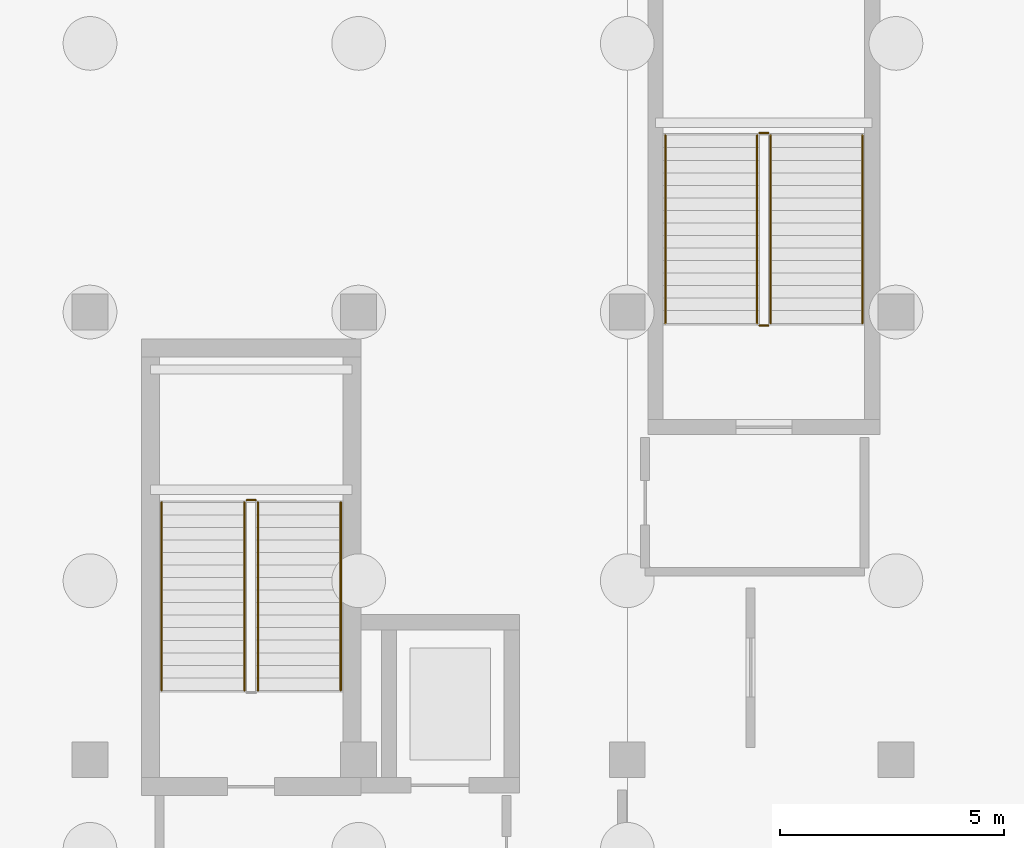
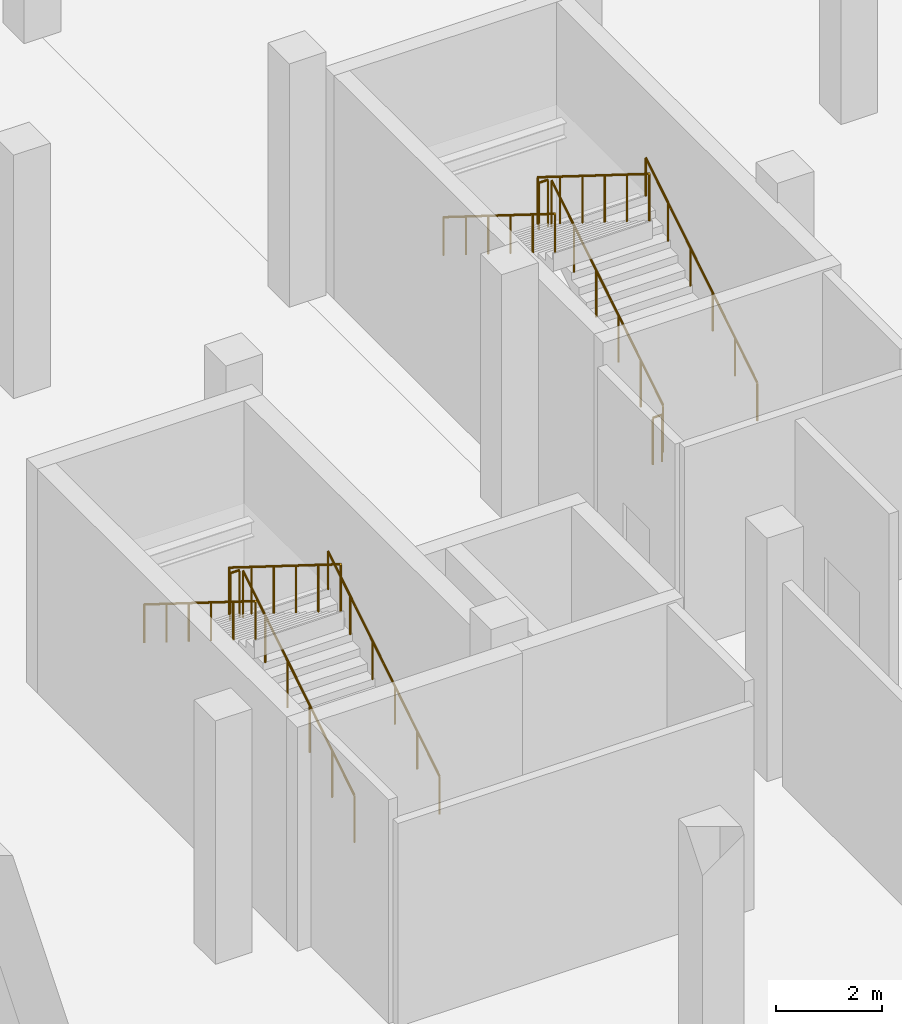
# One storey, part 24 of 26: 11 railings.
"""IFC4 building model written with IfcOpenShell, lengths in metres."""

from ifc_helpers import new_model, si_unit, direction, frame, origin, origin_2d, place, context, subcontext, project, spatial, circle, extrude, material, type_object, element, save


model = new_model("IFC4")

# Units and contexts
model_context = context("Model", 3, precision=1e-05, world=origin(), true_north=direction((0.0, 1.0)))
body_context = subcontext(model_context, "Body", "Model", "MODEL_VIEW")
ifc_project = project(units=[si_unit("LENGTHUNIT", "METRE"), si_unit("AREAUNIT", "SQUARE_METRE"), si_unit("VOLUMEUNIT", "CUBIC_METRE"), si_unit("PLANEANGLEUNIT", "RADIAN"), si_unit("MASSUNIT", "GRAM", prefix="KILO")], contexts=[model_context])

# Site, building, storey
site_placement = place(None, origin())
site = spatial("IfcSite", under=ifc_project, at=site_placement, CompositionType="ELEMENT")
building_placement = place(site_placement, origin())
building = spatial("IfcBuilding", under=site, at=building_placement, Name="Verrall Gate Interchange", CompositionType="ELEMENT")
storey_placement = place(building_placement, frame((0.0, 0.0, -10.39990234375)))
storey = spatial("IfcBuildingStorey", under=building, at=storey_placement, Name="B2", CompositionType="ELEMENT", Elevation=-10.39990234375)

# Railings
ifc_material_1 = material(Name="Brushed Stainless-Steel Guardrail and Handrail System", Category="steel")
railing_type_1 = type_object("IfcRailingType", Name="GR-02 Interior Atrium and Stair Guardrail 1100", PredefinedType="GUARDRAIL", material=ifc_material_1)
railing_1_placement = place(storey_placement, frame((9.75, 57.550048828125, 0.1748046875)))
element("IfcRailing", 1, at=railing_1_placement, inside=storey, type_object=railing_type_1, Name="B2 ST-03 stair guard 1", PredefinedType="GUARDRAIL", context=body_context, shape_type="SweptSolid", body=[
    extrude(circle(Radius=0.02392578125, at=origin_2d()), frame((0.0, 0.0, 1.076171875), z_axis=(0.0, 0.847995534698, 0.530003370869), x_axis=(-1.0, 0.0, 0.0)), (0.0, 0.0, 1.0), 4.952880859375),
    extrude(circle(Radius=0.02099609375, at=origin_2d()), origin(), (0.0, 0.0, 1.0), 1.052001953125),
    extrude(circle(Radius=0.02099609375, at=origin_2d()), frame((0.0, 0.840087890625, 0.52490234375)), (0.0, 0.0, 1.0), 1.052001953125),
    extrude(circle(Radius=0.02099609375, at=origin_2d()), frame((0.0, 1.679931640625, 1.050048828125)), (0.0, 0.0, 1.0), 1.052001953125),
    extrude(circle(Radius=0.02099609375, at=origin_2d()), frame((0.0, 2.52001953125, 1.574951171875)), (0.0, 0.0, 1.0), 1.052001953125),
    extrude(circle(Radius=0.02099609375, at=origin_2d()), frame((0.0, 3.35986328125, 2.10009765625)), (0.0, 0.0, 1.0), 1.052001953125),
    extrude(circle(Radius=0.02099609375, at=origin_2d()), frame((0.0, 4.199951171875, 2.625)), (0.0, 0.0, 1.0), 1.052001953125),
])
railing_2_placement = place(storey_placement, frame((9.699951171875, 61.800048828125, 2.7998046875)))
element("IfcRailing", 2, at=railing_2_placement, inside=storey, type_object=railing_type_1, Name="B2 ST-03 stair guard 2", PredefinedType="GUARDRAIL", context=body_context, shape_type="SweptSolid", body=[
    extrude(circle(Radius=0.02392578125, at=origin_2d()), frame((0.0, 0.0, 1.076171875), z_axis=(-1.0, 0.0, 0.0), x_axis=(0.0, -1.0, 0.0)), (0.0, 0.0, 1.0), 0.199951171875),
    extrude(circle(Radius=0.02099609375, at=origin_2d()), origin(), (0.0, 0.0, 1.0), 1.052001953125),
    extrude(circle(Radius=0.02099609375, at=origin_2d()), frame((-0.199951171875, 0.0, 0.0)), (0.0, 0.0, 1.0), 1.052001953125),
])
railing_3_placement = place(storey_placement, frame((9.449951171875, 61.75, 2.974853515625)))
element("IfcRailing", 3, at=railing_3_placement, inside=storey, type_object=railing_type_1, Name="B2 ST-03 stair guard 3", PredefinedType="GUARDRAIL", context=body_context, shape_type="SweptSolid", body=[
    extrude(circle(Radius=0.02392578125, at=origin_2d()), frame((0.0, 0.0, 1.076171875), z_axis=(0.0, -0.847995534698, 0.530003370869), x_axis=(1.0, 0.0, 0.0)), (0.0, 0.0, 1.0), 4.952880859375),
    extrude(circle(Radius=0.02099609375, at=origin_2d()), origin(), (0.0, 0.0, 1.0), 1.052001953125),
    extrude(circle(Radius=0.02099609375, at=origin_2d()), frame((0.0, -0.840087890625, 0.52490234375)), (0.0, 0.0, 1.0), 1.052001953125),
    extrude(circle(Radius=0.02099609375, at=origin_2d()), frame((0.0, -1.679931640625, 1.050048828125)), (0.0, 0.0, 1.0), 1.052001953125),
    extrude(circle(Radius=0.02099609375, at=origin_2d()), frame((0.0, -2.52001953125, 1.574951171875)), (0.0, 0.0, 1.0), 1.052001953125),
    extrude(circle(Radius=0.02099609375, at=origin_2d()), frame((0.0, -3.35986328125, 2.10009765625)), (0.0, 0.0, 1.0), 1.052001953125),
    extrude(circle(Radius=0.02099609375, at=origin_2d()), frame((0.0, -4.199951171875, 2.625)), (0.0, 0.0, 1.0), 1.052001953125),
])
railing_4_placement = place(storey_placement, frame((21.199951171875, 65.75, 0.1748046875)))
element("IfcRailing", 4, at=railing_4_placement, inside=storey, type_object=railing_type_1, Name="B2 ST-04 stair guard 1", PredefinedType="GUARDRAIL", context=body_context, shape_type="SweptSolid", body=[
    extrude(circle(Radius=0.02392578125, at=origin_2d()), frame((0.0, 0.0, 1.076171875), z_axis=(0.0, 0.847995534698, 0.530003370869), x_axis=(-1.0, 0.0, 0.0)), (0.0, 0.0, 1.0), 4.952880859375),
    extrude(circle(Radius=0.02099609375, at=origin_2d()), origin(), (0.0, 0.0, 1.0), 1.052001953125),
    extrude(circle(Radius=0.02099609375, at=origin_2d()), frame((0.0, 0.840087890625, 0.52490234375)), (0.0, 0.0, 1.0), 1.052001953125),
    extrude(circle(Radius=0.02099609375, at=origin_2d()), frame((0.0, 1.679931640625, 1.050048828125)), (0.0, 0.0, 1.0), 1.052001953125),
    extrude(circle(Radius=0.02099609375, at=origin_2d()), frame((0.0, 2.52001953125, 1.574951171875)), (0.0, 0.0, 1.0), 1.052001953125),
    extrude(circle(Radius=0.02099609375, at=origin_2d()), frame((0.0, 3.35986328125, 2.10009765625)), (0.0, 0.0, 1.0), 1.052001953125),
    extrude(circle(Radius=0.02099609375, at=origin_2d()), frame((0.0, 4.199951171875, 2.625)), (0.0, 0.0, 1.0), 1.052001953125),
])
railing_5_placement = place(storey_placement, frame((21.14990234375, 70.0, 2.7998046875)))
element("IfcRailing", 5, at=railing_5_placement, inside=storey, type_object=railing_type_1, Name="B2 ST-04 stair guard 2", PredefinedType="GUARDRAIL", context=body_context, shape_type="SweptSolid", body=[
    extrude(circle(Radius=0.02392578125, at=origin_2d()), frame((0.0, 0.0, 1.076171875), z_axis=(-1.0, 0.0, 0.0), x_axis=(0.0, -1.0, 0.0)), (0.0, 0.0, 1.0), 0.199951171875),
    extrude(circle(Radius=0.02099609375, at=origin_2d()), origin(), (0.0, 0.0, 1.0), 1.052001953125),
    extrude(circle(Radius=0.02099609375, at=origin_2d()), frame((-0.199951171875, 0.0, 0.0)), (0.0, 0.0, 1.0), 1.052001953125),
])
railing_6_placement = place(storey_placement, frame((20.89990234375, 69.949951171875, 2.974853515625)))
element("IfcRailing", 6, at=railing_6_placement, inside=storey, type_object=railing_type_1, Name="B2 ST-04 stair guard 3", PredefinedType="GUARDRAIL", context=body_context, shape_type="SweptSolid", body=[
    extrude(circle(Radius=0.02392578125, at=origin_2d()), frame((0.0, 0.0, 1.076171875), z_axis=(0.0, -0.847995534698, 0.530003370869), x_axis=(1.0, 0.0, 0.0)), (0.0, 0.0, 1.0), 4.952880859375),
    extrude(circle(Radius=0.02099609375, at=origin_2d()), origin(), (0.0, 0.0, 1.0), 1.052001953125),
    extrude(circle(Radius=0.02099609375, at=origin_2d()), frame((0.0, -0.840087890625, 0.52490234375)), (0.0, 0.0, 1.0), 1.052001953125),
    extrude(circle(Radius=0.02099609375, at=origin_2d()), frame((0.0, -1.679931640625, 1.050048828125)), (0.0, 0.0, 1.0), 1.052001953125),
    extrude(circle(Radius=0.02099609375, at=origin_2d()), frame((0.0, -2.52001953125, 1.574951171875)), (0.0, 0.0, 1.0), 1.052001953125),
    extrude(circle(Radius=0.02099609375, at=origin_2d()), frame((0.0, -3.35986328125, 2.10009765625)), (0.0, 0.0, 1.0), 1.052001953125),
    extrude(circle(Radius=0.02099609375, at=origin_2d()), frame((0.0, -4.199951171875, 2.625)), (0.0, 0.0, 1.0), 1.052001953125),
])
railing_7_placement = place(storey_placement, frame((21.14990234375, 65.699951171875, 0.0)))
element("IfcRailing", 7, at=railing_7_placement, inside=storey, type_object=railing_type_1, Name="B2 ST-04 stair guard 4", PredefinedType="GUARDRAIL", context=body_context, shape_type="SweptSolid", body=[
    extrude(circle(Radius=0.02392578125, at=origin_2d()), frame((0.0, 0.0, 1.076171875), z_axis=(-1.0, 0.0, 0.0), x_axis=(0.0, -1.0, 0.0)), (0.0, 0.0, 1.0), 0.199951171875),
    extrude(circle(Radius=0.02099609375, at=origin_2d()), origin(), (0.0, 0.0, 1.0), 1.052001953125),
    extrude(circle(Radius=0.02099609375, at=origin_2d()), frame((-0.199951171875, 0.0, 0.0)), (0.0, 0.0, 1.0), 1.052001953125),
])
ifc_material_2 = material(Name="Brushed Stainless-Steel Guardrail and Handrail System", Category="steel")
railing_type_2 = type_object("IfcRailingType", Name="HR-01 Stair and Ramp Pitch-Line Handrail 920", PredefinedType="HANDRAIL", material=ifc_material_2)
railing_8_placement = place(storey_placement, frame((11.60009765625, 57.550048828125, 0.1748046875)))
element("IfcRailing", 8, at=railing_8_placement, inside=storey, type_object=railing_type_2, Name="B2 ST-03 stair handrail 1", PredefinedType="HANDRAIL", context=body_context, shape_type="SweptSolid", body=[
    extrude(circle(Radius=0.02392578125, at=origin_2d()), frame((0.0, 0.0, 0.8759765625), z_axis=(0.0, 0.847995534698, 0.530003370869), x_axis=(-1.0, 0.0, 0.0)), (0.0, 0.0, 1.0), 4.952880859375),
    extrude(circle(Radius=0.02099609375, at=origin_2d()), origin(), (0.0, 0.0, 1.0), 0.851806640625),
    extrude(circle(Radius=0.02099609375, at=origin_2d()), frame((0.0, 0.840087890625, 0.52490234375)), (0.0, 0.0, 1.0), 0.851806640625),
    extrude(circle(Radius=0.02099609375, at=origin_2d()), frame((0.0, 1.679931640625, 1.050048828125)), (0.0, 0.0, 1.0), 0.851806640625),
    extrude(circle(Radius=0.02099609375, at=origin_2d()), frame((0.0, 2.52001953125, 1.574951171875)), (0.0, 0.0, 1.0), 0.851806640625),
    extrude(circle(Radius=0.02099609375, at=origin_2d()), frame((0.0, 3.35986328125, 2.10009765625)), (0.0, 0.0, 1.0), 0.851806640625),
    extrude(circle(Radius=0.02099609375, at=origin_2d()), frame((0.0, 4.199951171875, 2.625)), (0.0, 0.0, 1.0), 0.851806640625),
])
railing_9_placement = place(storey_placement, frame((7.60009765625, 61.75, 2.974853515625)))
element("IfcRailing", 9, at=railing_9_placement, inside=storey, type_object=railing_type_2, Name="B2 ST-03 stair handrail 2", PredefinedType="HANDRAIL", context=body_context, shape_type="SweptSolid", body=[
    extrude(circle(Radius=0.02392578125, at=origin_2d()), frame((0.0, 0.0, 0.8759765625), z_axis=(0.0, -0.847995534698, 0.530003370869), x_axis=(1.0, 0.0, 0.0)), (0.0, 0.0, 1.0), 4.952880859375),
    extrude(circle(Radius=0.02099609375, at=origin_2d()), origin(), (0.0, 0.0, 1.0), 0.851806640625),
    extrude(circle(Radius=0.02099609375, at=origin_2d()), frame((0.0, -0.840087890625, 0.52490234375)), (0.0, 0.0, 1.0), 0.851806640625),
    extrude(circle(Radius=0.02099609375, at=origin_2d()), frame((0.0, -1.679931640625, 1.050048828125)), (0.0, 0.0, 1.0), 0.851806640625),
    extrude(circle(Radius=0.02099609375, at=origin_2d()), frame((0.0, -2.52001953125, 1.574951171875)), (0.0, 0.0, 1.0), 0.851806640625),
    extrude(circle(Radius=0.02099609375, at=origin_2d()), frame((0.0, -3.35986328125, 2.10009765625)), (0.0, 0.0, 1.0), 0.851806640625),
    extrude(circle(Radius=0.02099609375, at=origin_2d()), frame((0.0, -4.199951171875, 2.625)), (0.0, 0.0, 1.0), 0.851806640625),
])
railing_10_placement = place(storey_placement, frame((23.25, 65.75, 0.1748046875)))
element("IfcRailing", 10, at=railing_10_placement, inside=storey, type_object=railing_type_2, Name="B2 ST-04 stair handrail 1", PredefinedType="HANDRAIL", context=body_context, shape_type="SweptSolid", body=[
    extrude(circle(Radius=0.02392578125, at=origin_2d()), frame((0.0, 0.0, 0.8759765625), z_axis=(0.0, 0.847995534698, 0.530003370869), x_axis=(-1.0, 0.0, 0.0)), (0.0, 0.0, 1.0), 4.952880859375),
    extrude(circle(Radius=0.02099609375, at=origin_2d()), origin(), (0.0, 0.0, 1.0), 0.851806640625),
    extrude(circle(Radius=0.02099609375, at=origin_2d()), frame((0.0, 0.840087890625, 0.52490234375)), (0.0, 0.0, 1.0), 0.851806640625),
    extrude(circle(Radius=0.02099609375, at=origin_2d()), frame((0.0, 1.679931640625, 1.050048828125)), (0.0, 0.0, 1.0), 0.851806640625),
    extrude(circle(Radius=0.02099609375, at=origin_2d()), frame((0.0, 2.52001953125, 1.574951171875)), (0.0, 0.0, 1.0), 0.851806640625),
    extrude(circle(Radius=0.02099609375, at=origin_2d()), frame((0.0, 3.35986328125, 2.10009765625)), (0.0, 0.0, 1.0), 0.851806640625),
    extrude(circle(Radius=0.02099609375, at=origin_2d()), frame((0.0, 4.199951171875, 2.625)), (0.0, 0.0, 1.0), 0.851806640625),
])
railing_11_placement = place(storey_placement, frame((18.85009765625, 69.949951171875, 2.974853515625)))
element("IfcRailing", 11, at=railing_11_placement, inside=storey, type_object=railing_type_2, Name="B2 ST-04 stair handrail 2", PredefinedType="HANDRAIL", context=body_context, shape_type="SweptSolid", body=[
    extrude(circle(Radius=0.02392578125, at=origin_2d()), frame((0.0, 0.0, 0.8759765625), z_axis=(0.0, -0.847995534698, 0.530003370869), x_axis=(1.0, 0.0, 0.0)), (0.0, 0.0, 1.0), 4.952880859375),
    extrude(circle(Radius=0.02099609375, at=origin_2d()), origin(), (0.0, 0.0, 1.0), 0.851806640625),
    extrude(circle(Radius=0.02099609375, at=origin_2d()), frame((0.0, -0.840087890625, 0.52490234375)), (0.0, 0.0, 1.0), 0.851806640625),
    extrude(circle(Radius=0.02099609375, at=origin_2d()), frame((0.0, -1.679931640625, 1.050048828125)), (0.0, 0.0, 1.0), 0.851806640625),
    extrude(circle(Radius=0.02099609375, at=origin_2d()), frame((0.0, -2.52001953125, 1.574951171875)), (0.0, 0.0, 1.0), 0.851806640625),
    extrude(circle(Radius=0.02099609375, at=origin_2d()), frame((0.0, -3.35986328125, 2.10009765625)), (0.0, 0.0, 1.0), 0.851806640625),
    extrude(circle(Radius=0.02099609375, at=origin_2d()), frame((0.0, -4.199951171875, 2.625)), (0.0, 0.0, 1.0), 0.851806640625),
])

save(model, "model.ifc")
